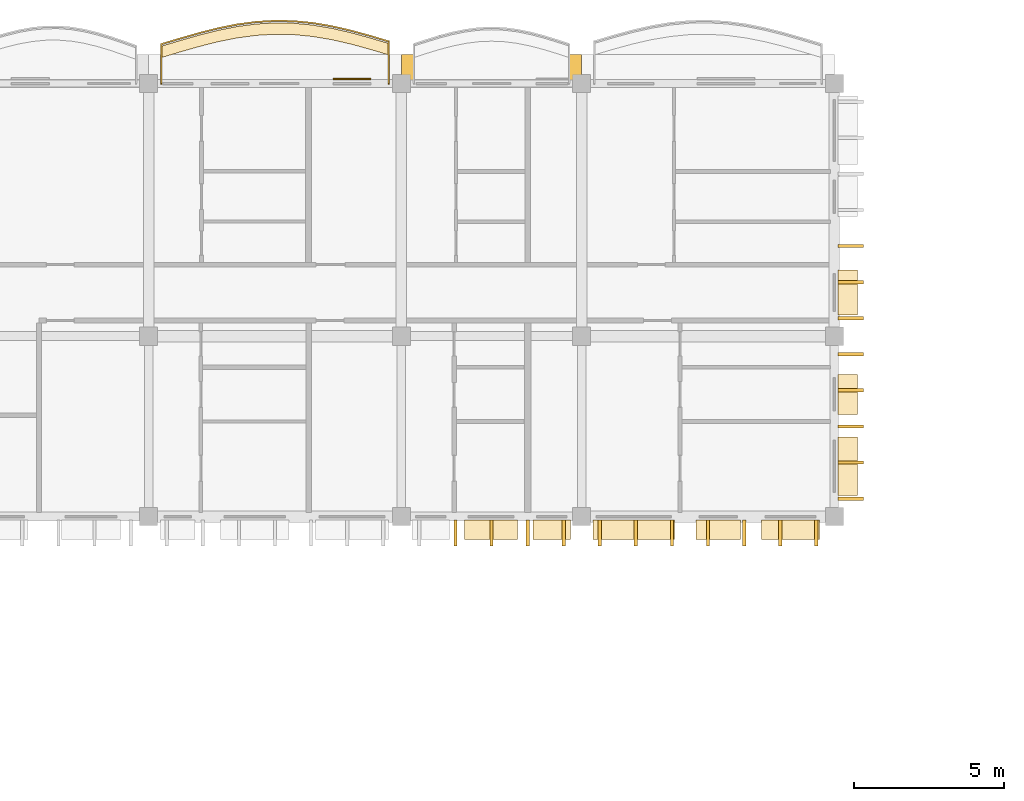
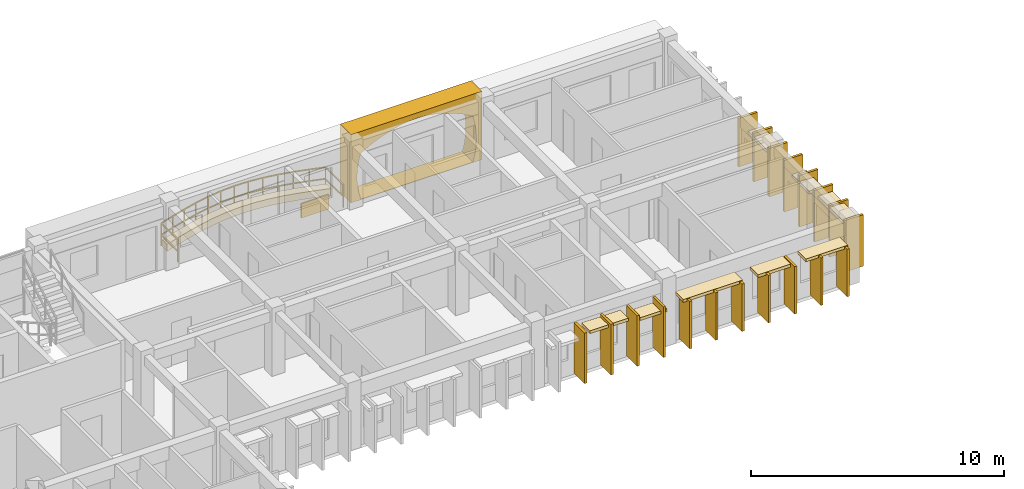
# One storey, part 37 of 45: 30 coverings, 1 railing.
"""IFC4 building model written with IfcOpenShell, lengths in metres."""

from ifc_helpers import new_model, si_unit, direction, frame, origin, origin_2d, place, context, subcontext, project, spatial, polyline, rectangle, outline, extrude, material, layer, layer_set, type_object, element, save


model = new_model("IFC4")

# Units and contexts
model_context = context("Model", 3, precision=1e-05, world=origin(), true_north=direction((0.0, 1.0)))
body_context = subcontext(model_context, "Body", "Model", "MODEL_VIEW")
ifc_project = project(units=[si_unit("LENGTHUNIT", "METRE"), si_unit("AREAUNIT", "SQUARE_METRE"), si_unit("VOLUMEUNIT", "CUBIC_METRE"), si_unit("PLANEANGLEUNIT", "RADIAN"), si_unit("MASSUNIT", "GRAM", prefix="KILO"), si_unit("THERMODYNAMICTEMPERATUREUNIT", "KELVIN")], contexts=[model_context])

# Site, building, storey
site_placement = place(None, origin())
site = spatial("IfcSite", under=ifc_project, at=site_placement, CompositionType="ELEMENT")
building_placement = place(site_placement, origin())
building = spatial("IfcBuilding", under=site, at=building_placement, Name="Thalorik Housing Commons", CompositionType="ELEMENT")
storey_placement = place(building_placement, frame((0.0, 0.0, 34.5)))
storey = spatial("IfcBuildingStorey", under=building, at=storey_placement, Name="L10", CompositionType="ELEMENT", Elevation=34.5)

# Coverings
ifc_material_1 = material(Name="Cobalt blue glazed ceramic facade tile panel", Category="masonry")
ifc_layer_1 = layer(ifc_material_1, 0.06005859375, Name="Cobalt blue glazed ceramic facade tile panel", Category="masonry")
ifc_layer_set_1 = layer_set([ifc_layer_1], Name="Cobalt blue glazed ceramic facade tile panel")
covering_type_1 = type_object("IfcCoveringType", Name="ARC-CLD-BLU-60", PredefinedType="CLADDING", material=ifc_layer_set_1)
covering_1_placement = place(storey_placement, frame((35.56494140625, 123.75244140625, 0.0498046875), z_axis=(0.0, 0.0, 1.0), x_axis=(-1.0, 0.0, 0.0)))
element("IfcCovering", 1, at=covering_1_placement, inside=storey, type_object=covering_type_1, Name="L10 De Stijl Recessed Window Spandrel 1051", PredefinedType="CLADDING", context=body_context, shape_type="SweptSolid", body=[
    extrude(rectangle(XDim=1.25, YDim=0.06005859375, at=origin_2d()), origin(), (0.0, 0.0, 1.0), 0.699951171875),
])
ifc_material_2 = material(Name="Precast concrete C40/50", Category="concrete")
ifc_layer_2 = layer(ifc_material_2, 0.85009765625, Name="Precast concrete C40/50", Category="concrete")
ifc_layer_set_2 = layer_set([ifc_layer_2], Name="Precast concrete C40/50")
covering_type_2 = type_object("IfcCoveringType", Name="ARC-CLD-CUSH-850", PredefinedType="CLADDING", material=ifc_layer_set_2)
covering_2_placement = place(storey_placement, frame((40.199951171875, 124.142578125, 0.0), z_axis=(0.0, 0.0, 1.0), x_axis=(-1.0, 0.0, 0.0)))
element("IfcCovering", 2, at=covering_2_placement, inside=storey, type_object=covering_type_2, Name="L10 White Precast Curved Cushion Bay Frame 1048", PredefinedType="CLADDING", context=body_context, shape_type="SweptSolid", body=[
    extrude(outline(polyline([(-3.0, 0.0), (3.0, 0.0), (3.0, 3.300048828125), (-3.0, 3.300048828125), (-3.0, 0.0)]), holes=[polyline([(2.5478515625, 0.02490234375), (2.643310546875, 0.394287109375), (2.700439453125, 0.76318359375), (2.719482421875, 1.132568359375), (2.700439453125, 1.501708984375), (2.643310546875, 1.870849609375), (2.5478515625, 2.239990234375), (2.12060546875, 2.4833984375), (1.693115234375, 2.6748046875), (1.265869140625, 2.82958984375), (0.83837890625, 2.94482421875), (0.4111328125, 3.01611328125), (-0.01611328125, 3.0400390625), (-0.443359375, 3.01611328125), (-0.87060546875, 2.94482421875), (-1.298095703125, 2.82958984375), (-1.725341796875, 2.6748046875), (-2.152587890625, 2.4833984375), (-2.580078125, 2.239990234375), (-2.668701171875, 1.870849609375), (-2.721923828125, 1.501708984375), (-2.739501953125, 1.132568359375), (-2.721923828125, 0.76318359375), (-2.668701171875, 0.394287109375), (-2.580078125, 0.02490234375), (2.5478515625, 0.02490234375)])]), frame((0.0, 0.425048828125, 0.0), z_axis=(0.0, -1.0, 0.0), x_axis=(1.0, 0.0, 0.0)), (0.0, 0.0, 1.0), 0.85009765625),
])
ifc_layer_3 = layer(ifc_material_2, 0.85009765625, Name="Precast concrete C40/50", Category="concrete")
ifc_layer_set_3 = layer_set([ifc_layer_3], Name="Precast concrete C40/50")
covering_type_3 = type_object("IfcCoveringType", Name="ARC-CLD-FIN-850", PredefinedType="CLADDING", material=ifc_layer_set_3)
for number, where, z_axis, x_axis, name in (
    (3, (39.0, 108.657470703125, 0.0400390625), (0.0, 0.0, 1.0), (1.0, 0.0, 0.0), "L10 Courtyard Precast Vertical Brise-Soleil Fin 1012"),
    (4, (40.199951171875, 108.657470703125, 0.0400390625), (0.0, 0.0, 1.0), (1.0, 0.0, 0.0), "L10 Courtyard Precast Vertical Brise-Soleil Fin 1013"),
    (5, (41.39990234375, 108.657470703125, 0.0400390625), (0.0, 0.0, 1.0), (1.0, 0.0, 0.0), "L10 Courtyard Precast Vertical Brise-Soleil Fin 1014"),
    (6, (42.60009765625, 108.657470703125, 0.0400390625), (0.0, 0.0, 1.0), (1.0, 0.0, 0.0), "L10 Courtyard Precast Vertical Brise-Soleil Fin 1015"),
):
    element("IfcCovering", number, at=place(storey_placement, frame(where, z_axis=z_axis, x_axis=x_axis)), inside=storey, type_object=covering_type_3, Name=name, PredefinedType="CLADDING", context=body_context, shape_type="SweptSolid", body=[
        extrude(rectangle(XDim=0.110107421875, YDim=0.85009765625, at=origin_2d()), origin(), (0.0, 0.0, 1.0), 2.445068359375),
    ])
for number, where, z_axis, x_axis, name in (
    (7, (43.800048828125, 108.657470703125, 0.0400390625), (0.0, 0.0, 1.0), (1.0, 0.0, 0.0), "L10 Courtyard Precast Vertical Brise-Soleil Fin 1019"),
    (8, (45.0, 108.657470703125, 0.0400390625), (0.0, 0.0, 1.0), (1.0, 0.0, 0.0), "L10 Courtyard Precast Vertical Brise-Soleil Fin 1020"),
    (9, (46.199951171875, 108.657470703125, 0.0400390625), (0.0, 0.0, 1.0), (1.0, 0.0, 0.0), "L10 Courtyard Precast Vertical Brise-Soleil Fin 1021"),
    (10, (47.39990234375, 108.657470703125, 0.0400390625), (0.0, 0.0, 1.0), (1.0, 0.0, 0.0), "L10 Courtyard Precast Vertical Brise-Soleil Fin 1022"),
    (11, (48.60009765625, 108.657470703125, 0.0400390625), (0.0, 0.0, 1.0), (1.0, 0.0, 0.0), "L10 Courtyard Precast Vertical Brise-Soleil Fin 1023"),
    (12, (49.800048828125, 108.657470703125, 0.0400390625), (0.0, 0.0, 1.0), (1.0, 0.0, 0.0), "L10 Courtyard Precast Vertical Brise-Soleil Fin 1024"),
    (13, (51.0, 108.657470703125, 0.0400390625), (0.0, 0.0, 1.0), (1.0, 0.0, 0.0), "L10 Courtyard Precast Vertical Brise-Soleil Fin 1025"),
):
    element("IfcCovering", number, at=place(storey_placement, frame(where, z_axis=z_axis, x_axis=x_axis)), inside=storey, type_object=covering_type_3, Name=name, PredefinedType="CLADDING", context=body_context, shape_type="SweptSolid", body=[
        extrude(rectangle(XDim=0.110107421875, YDim=0.85009765625, at=origin_2d()), origin(), (0.0, 0.0, 1.0), 2.294921875),
    ])
for number, where, z_axis, x_axis, name in (
    (14, (52.142578125, 109.800048828125, 0.0400390625), (0.0, 0.0, 1.0), (0.0, 1.0, 0.0), "L10 Courtyard Precast Vertical Brise-Soleil Fin 1029"),
    (15, (52.142578125, 111.0, 0.0400390625), (0.0, 0.0, 1.0), (0.0, 1.0, 0.0), "L10 Courtyard Precast Vertical Brise-Soleil Fin 1030"),
    (16, (52.142578125, 112.199951171875, 0.0400390625), (0.0, 0.0, 1.0), (0.0, 1.0, 0.0), "L10 Courtyard Precast Vertical Brise-Soleil Fin 1031"),
    (17, (52.142578125, 113.39990234375, 0.0400390625), (0.0, 0.0, 1.0), (0.0, 1.0, 0.0), "L10 Courtyard Precast Vertical Brise-Soleil Fin 1032"),
    (18, (52.142578125, 114.60009765625, 0.0400390625), (0.0, 0.0, 1.0), (0.0, 1.0, 0.0), "L10 Courtyard Precast Vertical Brise-Soleil Fin 1033"),
):
    element("IfcCovering", number, at=place(storey_placement, frame(where, z_axis=z_axis, x_axis=x_axis)), inside=storey, type_object=covering_type_3, Name=name, PredefinedType="CLADDING", context=body_context, shape_type="SweptSolid", body=[
        extrude(rectangle(XDim=0.110107421875, YDim=0.85009765625, at=origin_2d()), origin(), (0.0, 0.0, 1.0), 2.4951171875),
    ])
for number, where, z_axis, x_axis, name in (
    (19, (52.142578125, 115.800048828125, 0.0400390625), (0.0, 0.0, 1.0), (0.0, 1.0, 0.0), "L10 Courtyard Precast Vertical Brise-Soleil Fin 1036"),
    (20, (52.142578125, 117.0, 0.0400390625), (0.0, 0.0, 1.0), (0.0, 1.0, 0.0), "L10 Courtyard Precast Vertical Brise-Soleil Fin 1037"),
    (21, (52.142578125, 118.199951171875, 0.0400390625), (0.0, 0.0, 1.0), (0.0, 1.0, 0.0), "L10 Courtyard Precast Vertical Brise-Soleil Fin 1038"),
):
    element("IfcCovering", number, at=place(storey_placement, frame(where, z_axis=z_axis, x_axis=x_axis)), inside=storey, type_object=covering_type_3, Name=name, PredefinedType="CLADDING", context=body_context, shape_type="SweptSolid", body=[
        extrude(rectangle(XDim=0.110107421875, YDim=0.85009765625, at=origin_2d()), origin(), (0.0, 0.0, 1.0), 2.344970703125),
    ])
ifc_layer_4 = layer(ifc_material_2, 0.64990234375, Name="Precast concrete C40/50", Category="concrete")
ifc_layer_set_4 = layer_set([ifc_layer_4], Name="Precast concrete C40/50")
covering_type_4 = type_object("IfcCoveringType", Name="ARC-CLD-HOOD-650", PredefinedType="CLADDING", material=ifc_layer_set_4)
covering_3_placement = place(storey_placement, frame((40.179931640625, 108.757568359375, 2.2099609375), z_axis=(0.0, 0.0, 1.0), x_axis=(1.0, 0.0, 0.0)))
element("IfcCovering", 22, at=covering_3_placement, inside=storey, type_object=covering_type_4, Name="L10 Courtyard Precast Window Sun-Hood 1017", PredefinedType="CLADDING", context=body_context, shape_type="SweptSolid", body=[
    extrude(rectangle(XDim=1.760009765625, YDim=0.64990234375, at=origin_2d()), origin(), (0.0, 0.0, 1.0), 0.139892578125),
])
covering_4_placement = place(storey_placement, frame((42.205078125, 108.757568359375, 2.0400390625), z_axis=(0.0, 0.0, 1.0), x_axis=(1.0, 0.0, 0.0)))
element("IfcCovering", 23, at=covering_4_placement, inside=storey, type_object=covering_type_4, Name="L10 Courtyard Precast Window Sun-Hood 1018", PredefinedType="CLADDING", context=body_context, shape_type="SweptSolid", body=[
    extrude(rectangle(XDim=1.239990234375, YDim=0.64990234375, at=origin_2d()), origin(), (0.0, 0.0, 1.0), 0.139892578125),
])
covering_5_placement = place(storey_placement, frame((44.929931640625, 108.757568359375, 2.22509765625), z_axis=(0.0, 0.0, 1.0), x_axis=(1.0, 0.0, 0.0)))
element("IfcCovering", 24, at=covering_5_placement, inside=storey, type_object=covering_type_4, Name="L10 Courtyard Precast Window Sun-Hood 1026", PredefinedType="CLADDING", context=body_context, shape_type="SweptSolid", body=[
    extrude(rectangle(XDim=2.719970703125, YDim=0.64990234375, at=origin_2d()), origin(), (0.0, 0.0, 1.0), 0.139892578125),
])
covering_6_placement = place(storey_placement, frame((47.739990234375, 108.757568359375, 2.22509765625), z_axis=(0.0, 0.0, 1.0), x_axis=(1.0, 0.0, 0.0)))
element("IfcCovering", 25, at=covering_6_placement, inside=storey, type_object=covering_type_4, Name="L10 Courtyard Precast Window Sun-Hood 1027", PredefinedType="CLADDING", context=body_context, shape_type="SweptSolid", body=[
    extrude(rectangle(XDim=1.489990234375, YDim=0.64990234375, at=origin_2d()), origin(), (0.0, 0.0, 1.0), 0.139892578125),
])
covering_7_placement = place(storey_placement, frame((50.139892578125, 108.757568359375, 2.22509765625), z_axis=(0.0, 0.0, 1.0), x_axis=(1.0, 0.0, 0.0)))
element("IfcCovering", 26, at=covering_7_placement, inside=storey, type_object=covering_type_4, Name="L10 Courtyard Precast Window Sun-Hood 1028", PredefinedType="CLADDING", context=body_context, shape_type="SweptSolid", body=[
    extrude(rectangle(XDim=1.919921875, YDim=0.64990234375, at=origin_2d()), origin(), (0.0, 0.0, 1.0), 0.139892578125),
])
covering_8_placement = place(storey_placement, frame((52.04248046875, 110.87548828125, 2.31005859375), z_axis=(0.0, 0.0, 1.0), x_axis=(0.0, 1.0, 0.0)))
element("IfcCovering", 27, at=covering_8_placement, inside=storey, type_object=covering_type_4, Name="L10 Courtyard Precast Window Sun-Hood 1034", PredefinedType="CLADDING", context=body_context, shape_type="SweptSolid", body=[
    extrude(rectangle(XDim=1.9599609375, YDim=0.64990234375, at=origin_2d()), origin(), (0.0, 0.0, 1.0), 0.139892578125),
])
covering_9_placement = place(storey_placement, frame((52.04248046875, 113.26513671875, 2.08984375), z_axis=(0.0, 0.0, 1.0), x_axis=(0.0, 1.0, 0.0)))
element("IfcCovering", 28, at=covering_9_placement, inside=storey, type_object=covering_type_4, Name="L10 Courtyard Precast Window Sun-Hood 1035", PredefinedType="CLADDING", context=body_context, shape_type="SweptSolid", body=[
    extrude(rectangle(XDim=1.340087890625, YDim=0.64990234375, at=origin_2d()), origin(), (0.0, 0.0, 1.0), 0.139892578125),
])
covering_10_placement = place(storey_placement, frame((52.04248046875, 116.64990234375, 2.08984375), z_axis=(0.0, 0.0, 1.0), x_axis=(0.0, 1.0, 0.0)))
element("IfcCovering", 29, at=covering_10_placement, inside=storey, type_object=covering_type_4, Name="L10 Courtyard Precast Window Sun-Hood 1043", PredefinedType="CLADDING", context=body_context, shape_type="SweptSolid", body=[
    extrude(rectangle(XDim=1.489990234375, YDim=0.64990234375, at=origin_2d()), origin(), (0.0, 0.0, 1.0), 0.139892578125),
])
ifc_material_3 = material(Name="Planted vegetated substrate and terracotta trough", Category="masonry")
ifc_layer_5 = layer(ifc_material_3, 0.340087890625, Name="Planted vegetated substrate and terracotta trough", Category="masonry")
ifc_layer_set_5 = layer_set([ifc_layer_5], Name="Planted vegetated substrate and terracotta trough")
covering_type_5 = type_object("IfcCoveringType", Name="ARC-COV-PLANTER", PredefinedType="USERDEFINED", material=ifc_layer_set_5)
covering_11_placement = place(storey_placement, origin())
element("IfcCovering", 30, at=covering_11_placement, inside=storey, type_object=covering_type_5, Name="L10 Balcony Slab-Edge Planted Trough 5386", ObjectType="PLANTER", PredefinedType="USERDEFINED", context=body_context, shape_type="SweptSolid", body=[
    extrude(outline(polyline([(36.780029296875, 124.935791015625), (36.14990234375, 125.12353515625), (35.52001953125, 125.29541015625), (34.889892578125, 125.439697265625), (34.260009765625, 125.54638671875), (33.6298828125, 125.6083984375), (33.0, 125.620849609375), (32.3701171875, 125.58349609375), (31.739990234375, 125.4990234375), (31.110107421875, 125.372802734375), (30.47998046875, 125.21435546875), (29.85009765625, 125.0341796875), (29.219970703125, 124.844970703125), (29.219970703125, 124.465087890625), (29.85009765625, 124.654296875), (30.47998046875, 124.834228515625), (31.110107421875, 124.992919921875), (31.739990234375, 125.118896484375), (32.3701171875, 125.20361328125), (33.0, 125.240966796875), (33.6298828125, 125.228271484375), (34.260009765625, 125.16650390625), (34.889892578125, 125.059814453125), (35.52001953125, 124.91552734375), (36.14990234375, 124.743408203125), (36.780029296875, 124.555908203125), (36.780029296875, 124.935791015625)])), origin(), (0.0, 0.0, 1.0), 0.340087890625),
])

# Railing
ifc_material_4 = material(Name="Steel S355", Category="steel")
railing_type = type_object("IfcRailingType", Name="ARC-RL-BAL-112", PredefinedType="BALUSTRADE", material=ifc_material_4)
railing_placement = place(storey_placement, frame((36.780029296875, 123.60009765625, 0.0)))
element("IfcRailing", 31, at=railing_placement, inside=storey, type_object=railing_type, Name="L10 Cushion Balcony Guardrail 70", PredefinedType="BALUSTRADE", context=body_context, shape_type="SweptSolid", body=[
    extrude(rectangle(XDim=0.050048828125, YDim=0.050048828125, at=origin_2d()), frame((0.0, 0.0, 1.09521484375), z_axis=(0.0, 1.0, 0.0), x_axis=(-1.0, 0.0, 0.0)), (0.0, 0.0, 1.0), 1.40576171875),
    extrude(rectangle(XDim=0.050048828125, YDim=0.050048828125, at=origin_2d()), frame((0.0, 0.0, 0.53515625), z_axis=(0.0, 1.0, 0.0), x_axis=(-1.0, 0.0, 0.0)), (0.0, 0.0, 1.0), 1.40576171875),
    extrude(rectangle(XDim=0.050048828125, YDim=0.050048828125, at=origin_2d()), frame((0.0, 1.40576171875, 1.09521484375), z_axis=(-0.958366227807, 0.285541894298, 0.0), x_axis=(-0.285541894298, -0.958366227807, 0.0)), (0.0, 0.0, 1.0), 0.657470703125),
    extrude(rectangle(XDim=0.050048828125, YDim=0.050048828125, at=origin_2d()), frame((0.0, 1.40576171875, 0.53515625), z_axis=(-0.958366227807, 0.285541894298, 0.0), x_axis=(-0.285541894298, -0.958366227807, 0.0)), (0.0, 0.0, 1.0), 0.657470703125),
    extrude(rectangle(XDim=0.050048828125, YDim=0.050048828125, at=origin_2d()), frame((-0.630126953125, 1.593505859375, 1.09521484375), z_axis=(-0.964729296683, 0.263243963126, 0.0), x_axis=(-0.263243963126, -0.964729296683, 0.0)), (0.0, 0.0, 1.0), 0.65283203125),
    extrude(rectangle(XDim=0.050048828125, YDim=0.050048828125, at=origin_2d()), frame((-0.630126953125, 1.593505859375, 0.53515625), z_axis=(-0.964729296683, 0.263243963126, 0.0), x_axis=(-0.263243963126, -0.964729296683, 0.0)), (0.0, 0.0, 1.0), 0.65283203125),
    extrude(rectangle(XDim=0.050048828125, YDim=0.050048828125, at=origin_2d()), frame((-1.260009765625, 1.765380859375, 1.09521484375), z_axis=(-0.974771705856, 0.223204214708, 0.0), x_axis=(-0.223204214708, -0.974771705856, 0.0)), (0.0, 0.0, 1.0), 0.646484375),
    extrude(rectangle(XDim=0.050048828125, YDim=0.050048828125, at=origin_2d()), frame((-1.260009765625, 1.765380859375, 0.53515625), z_axis=(-0.974771705856, 0.223204214708, 0.0), x_axis=(-0.223204214708, -0.974771705856, 0.0)), (0.0, 0.0, 1.0), 0.646484375),
    extrude(rectangle(XDim=0.050048828125, YDim=0.050048828125, at=origin_2d()), frame((-1.89013671875, 1.90966796875, 1.09521484375), z_axis=(-0.985956693723, 0.167001191921, 0.0), x_axis=(-0.167001191921, -0.985956693723, 0.0)), (0.0, 0.0, 1.0), 0.638916015625),
    extrude(rectangle(XDim=0.050048828125, YDim=0.050048828125, at=origin_2d()), frame((-1.89013671875, 1.90966796875, 0.53515625), z_axis=(-0.985956693723, 0.167001191921, 0.0), x_axis=(-0.167001191921, -0.985956693723, 0.0)), (0.0, 0.0, 1.0), 0.638916015625),
    extrude(rectangle(XDim=0.050048828125, YDim=0.050048828125, at=origin_2d()), frame((-2.52001953125, 2.016357421875, 1.09521484375), z_axis=(-0.995229993395, 0.097556446466, 0.0), x_axis=(-0.097556446466, -0.995229993395, 0.0)), (0.0, 0.0, 1.0), 0.633056640625),
    extrude(rectangle(XDim=0.050048828125, YDim=0.050048828125, at=origin_2d()), frame((-2.52001953125, 2.016357421875, 0.53515625), z_axis=(-0.995229993395, 0.097556446466, 0.0), x_axis=(-0.097556446466, -0.995229993395, 0.0)), (0.0, 0.0, 1.0), 0.633056640625),
    extrude(rectangle(XDim=0.050048828125, YDim=0.050048828125, at=origin_2d()), frame((-3.150146484375, 2.078125, 1.09521484375), z_axis=(-0.999796949068, 0.02015094626, 0.0), x_axis=(-0.02015094626, -0.999796949068, 0.0)), (0.0, 0.0, 1.0), 0.630126953125),
    extrude(rectangle(XDim=0.050048828125, YDim=0.050048828125, at=origin_2d()), frame((-3.150146484375, 2.078125, 0.53515625), z_axis=(-0.999796949068, 0.02015094626, 0.0), x_axis=(-0.02015094626, -0.999796949068, 0.0)), (0.0, 0.0, 1.0), 0.630126953125),
    extrude(rectangle(XDim=0.050048828125, YDim=0.050048828125, at=origin_2d()), frame((-3.780029296875, 2.0908203125, 1.09521484375), z_axis=(-0.998246241406, -0.059198323618, 0.0), x_axis=(0.059198323618, -0.998246241406, 0.0)), (0.0, 0.0, 1.0), 0.631103515625),
    extrude(rectangle(XDim=0.050048828125, YDim=0.050048828125, at=origin_2d()), frame((-3.780029296875, 2.0908203125, 0.53515625), z_axis=(-0.998246241406, -0.059198323618, 0.0), x_axis=(0.059198323618, -0.998246241406, 0.0)), (0.0, 0.0, 1.0), 0.631103515625),
    extrude(rectangle(XDim=0.050048828125, YDim=0.050048828125, at=origin_2d()), frame((-4.409912109375, 2.053466796875, 1.09521484375), z_axis=(-0.99113374372, -0.132867987341, 0.0), x_axis=(0.132867987341, -0.99113374372, 0.0)), (0.0, 0.0, 1.0), 0.6357421875),
    extrude(rectangle(XDim=0.050048828125, YDim=0.050048828125, at=origin_2d()), frame((-4.409912109375, 2.053466796875, 0.53515625), z_axis=(-0.99113374372, -0.132867987341, 0.0), x_axis=(0.132867987341, -0.99113374372, 0.0)), (0.0, 0.0, 1.0), 0.6357421875),
    extrude(rectangle(XDim=0.050048828125, YDim=0.050048828125, at=origin_2d()), frame((-5.0400390625, 1.968994140625, 1.09521484375), z_axis=(-0.980507522663, -0.196481546208, 0.0), x_axis=(0.196481546208, -0.980507522663, 0.0)), (0.0, 0.0, 1.0), 0.642333984375),
    extrude(rectangle(XDim=0.050048828125, YDim=0.050048828125, at=origin_2d()), frame((-5.0400390625, 1.968994140625, 0.53515625), z_axis=(-0.980507522663, -0.196481546208, 0.0), x_axis=(0.196481546208, -0.980507522663, 0.0)), (0.0, 0.0, 1.0), 0.642333984375),
    extrude(rectangle(XDim=0.050048828125, YDim=0.050048828125, at=origin_2d()), frame((-5.669921875, 1.8427734375, 1.09521484375), z_axis=(-0.969721129013, -0.244214929817, 0.0), x_axis=(0.244214929817, -0.969721129013, 0.0)), (0.0, 0.0, 1.0), 0.64990234375),
    extrude(rectangle(XDim=0.050048828125, YDim=0.050048828125, at=origin_2d()), frame((-5.669921875, 1.8427734375, 0.53515625), z_axis=(-0.969721129013, -0.244214929817, 0.0), x_axis=(0.244214929817, -0.969721129013, 0.0)), (0.0, 0.0, 1.0), 0.64990234375),
    extrude(rectangle(XDim=0.050048828125, YDim=0.050048828125, at=origin_2d()), frame((-6.300048828125, 1.68408203125, 1.09521484375), z_axis=(-0.961538010122, -0.274671904442, 0.0), x_axis=(0.274671904442, -0.961538010122, 0.0)), (0.0, 0.0, 1.0), 0.655029296875),
    extrude(rectangle(XDim=0.050048828125, YDim=0.050048828125, at=origin_2d()), frame((-6.300048828125, 1.68408203125, 0.53515625), z_axis=(-0.961538010122, -0.274671904442, 0.0), x_axis=(0.274671904442, -0.961538010122, 0.0)), (0.0, 0.0, 1.0), 0.655029296875),
    extrude(rectangle(XDim=0.050048828125, YDim=0.050048828125, at=origin_2d()), frame((-6.929931640625, 1.504150390625, 1.09521484375), z_axis=(-0.957754763301, -0.287586184254, 0.0), x_axis=(0.287586184254, -0.957754763301, 0.0)), (0.0, 0.0, 1.0), 0.657958984375),
    extrude(rectangle(XDim=0.050048828125, YDim=0.050048828125, at=origin_2d()), frame((-6.929931640625, 1.504150390625, 0.53515625), z_axis=(-0.957754763301, -0.287586184254, 0.0), x_axis=(0.287586184254, -0.957754763301, 0.0)), (0.0, 0.0, 1.0), 0.657958984375),
    extrude(rectangle(XDim=0.050048828125, YDim=0.050048828125, at=origin_2d()), frame((-7.56005859375, 1.31494140625, 1.09521484375), z_axis=(0.0, -1.0, 0.0), x_axis=(1.0, 0.0, 0.0)), (0.0, 0.0, 1.0), 1.31494140625),
    extrude(rectangle(XDim=0.050048828125, YDim=0.050048828125, at=origin_2d()), frame((-7.56005859375, 1.31494140625, 0.53515625), z_axis=(0.0, -1.0, 0.0), x_axis=(1.0, 0.0, 0.0)), (0.0, 0.0, 1.0), 1.31494140625),
    extrude(rectangle(XDim=0.0419921875, YDim=0.0419921875, at=origin_2d()), origin(), (0.0, 0.0, 1.0), 1.070068359375),
    extrude(rectangle(XDim=0.0419921875, YDim=0.0419921875, at=origin_2d()), frame((0.0, 1.40576171875, 0.0)), (0.0, 0.0, 1.0), 1.070068359375),
    extrude(rectangle(XDim=0.0419921875, YDim=0.0419921875, at=origin_2d()), frame((-0.630126953125, 1.593505859375, 0.0)), (0.0, 0.0, 1.0), 1.070068359375),
    extrude(rectangle(XDim=0.0419921875, YDim=0.0419921875, at=origin_2d()), frame((-1.260009765625, 1.765380859375, 0.0)), (0.0, 0.0, 1.0), 1.070068359375),
    extrude(rectangle(XDim=0.0419921875, YDim=0.0419921875, at=origin_2d()), frame((-1.89013671875, 1.90966796875, 0.0)), (0.0, 0.0, 1.0), 1.070068359375),
    extrude(rectangle(XDim=0.0419921875, YDim=0.0419921875, at=origin_2d()), frame((-2.52001953125, 2.016357421875, 0.0)), (0.0, 0.0, 1.0), 1.070068359375),
    extrude(rectangle(XDim=0.0419921875, YDim=0.0419921875, at=origin_2d()), frame((-3.150146484375, 2.078125, 0.0)), (0.0, 0.0, 1.0), 1.070068359375),
    extrude(rectangle(XDim=0.0419921875, YDim=0.0419921875, at=origin_2d()), frame((-3.780029296875, 2.0908203125, 0.0)), (0.0, 0.0, 1.0), 1.070068359375),
    extrude(rectangle(XDim=0.0419921875, YDim=0.0419921875, at=origin_2d()), frame((-4.409912109375, 2.053466796875, 0.0)), (0.0, 0.0, 1.0), 1.070068359375),
    extrude(rectangle(XDim=0.0419921875, YDim=0.0419921875, at=origin_2d()), frame((-5.0400390625, 1.968994140625, 0.0)), (0.0, 0.0, 1.0), 1.070068359375),
    extrude(rectangle(XDim=0.0419921875, YDim=0.0419921875, at=origin_2d()), frame((-5.669921875, 1.8427734375, 0.0)), (0.0, 0.0, 1.0), 1.070068359375),
    extrude(rectangle(XDim=0.0419921875, YDim=0.0419921875, at=origin_2d()), frame((-6.300048828125, 1.68408203125, 0.0)), (0.0, 0.0, 1.0), 1.070068359375),
    extrude(rectangle(XDim=0.0419921875, YDim=0.0419921875, at=origin_2d()), frame((-6.929931640625, 1.504150390625, 0.0)), (0.0, 0.0, 1.0), 1.070068359375),
    extrude(rectangle(XDim=0.0419921875, YDim=0.0419921875, at=origin_2d()), frame((-7.56005859375, 1.31494140625, 0.0)), (0.0, 0.0, 1.0), 1.070068359375),
    extrude(rectangle(XDim=0.0419921875, YDim=0.0419921875, at=origin_2d()), frame((-7.56005859375, 0.0, 0.0)), (0.0, 0.0, 1.0), 1.070068359375),
])

save(model, "model.ifc")
